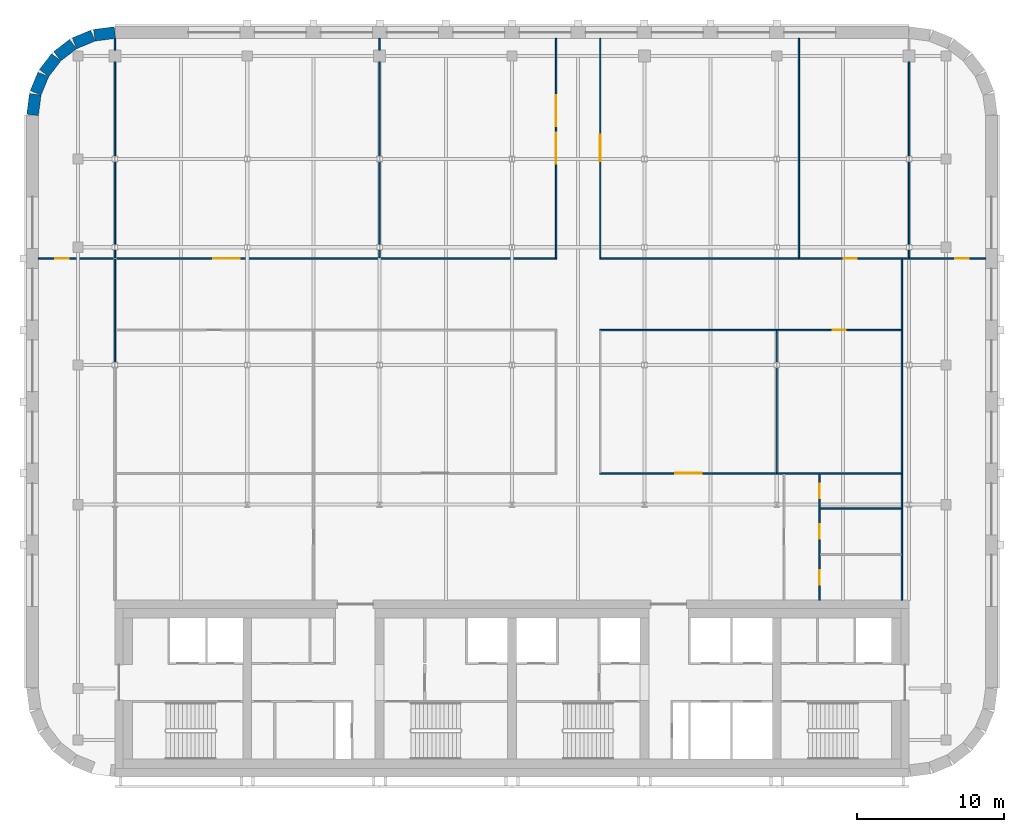
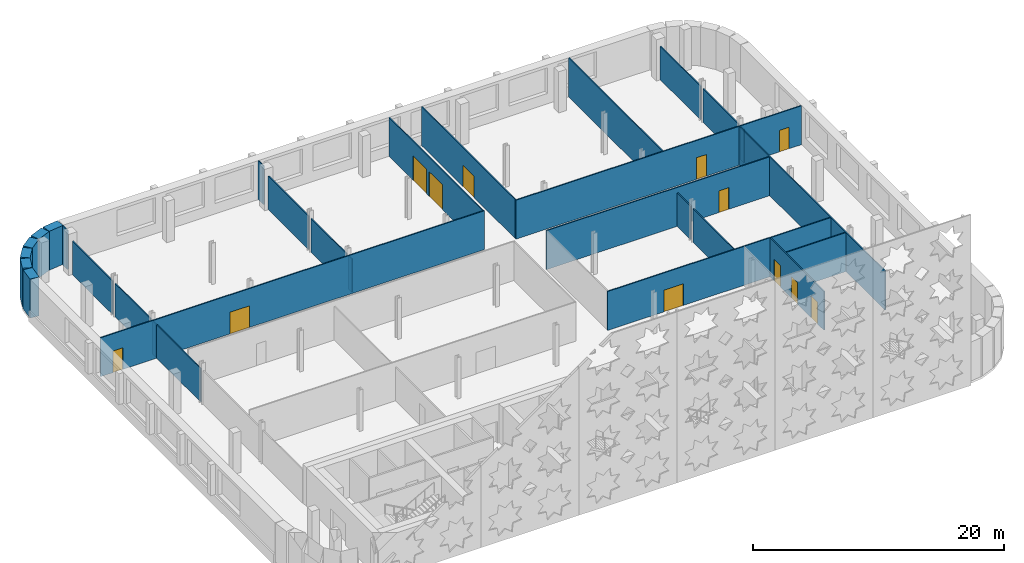
# One storey, part 9 of 14: 30 walls, 12 doors, 12 openings.
"""IFC4 building model written with IfcOpenShell, lengths in metres."""

from ifc_helpers import new_model, si_unit, direction, frame, frame_2d, origin, place, context, subcontext, project, spatial, rectangle, extrude, material, layer, layer_set, type_object, element, fill, save


model = new_model("IFC4")

# Units and contexts
model_context = context("Model", 3, precision=1e-05, world=origin(), true_north=direction((0.0, 1.0)))
body_context = subcontext(model_context, "Body", "Model", "MODEL_VIEW")
ifc_project = project(units=[si_unit("LENGTHUNIT", "METRE"), si_unit("AREAUNIT", "SQUARE_METRE"), si_unit("VOLUMEUNIT", "CUBIC_METRE"), si_unit("PLANEANGLEUNIT", "RADIAN"), si_unit("MASSUNIT", "GRAM", prefix="KILO")], contexts=[model_context])

# Site, building, storey
site_placement = place(None, origin())
site = spatial("IfcSite", under=ifc_project, at=site_placement, CompositionType="ELEMENT")
building_placement = place(site_placement, origin())
building = spatial("IfcBuilding", under=site, at=building_placement, Name="Zellij Exchange Tower", CompositionType="ELEMENT")
storey_placement = place(building_placement, frame((0.0, 0.0, 288.5)))
storey = spatial("IfcBuildingStorey", under=building, at=storey_placement, Name="L68", CompositionType="ELEMENT", Elevation=288.5)

# Walls
ifc_material_1 = material(Name="Precast concrete C40/50", Category="concrete")
ifc_layer_1 = layer(ifc_material_1, 0.800048828125)
ifc_layer_set_1 = layer_set([ifc_layer_1], Name="Precast concrete C40/50")
wall_type_1 = type_object("IfcWallType", Name="ENV-EW1 Precast stone-piered wall 800", PredefinedType="SOLIDWALL", material=ifc_layer_set_1)
wall_1_placement = place(storey_placement, frame((-26.999755859375, 36.5966796875, 0.0), z_axis=(0.0, 0.0, 1.0), x_axis=(-0.99144603414, -0.130517283865, 0.0)))
element("IfcWall", 1, at=wall_1_placement, inside=storey, type_object=wall_type_1, Name="fac.L68.15", PredefinedType="SOLIDWALL", context=body_context, shape_type="SweptSolid", body=[
    extrude(rectangle(XDim=1.408447265625, YDim=0.800048828125, at=frame_2d((0.7041015625, 0.0))), origin(), (0.0, 0.0, 1.0), 3.780029296875),
])
wall_2_placement = place(storey_placement, frame((-28.497314453125, 36.3857421875, 0.0), z_axis=(0.0, 0.0, 1.0), x_axis=(-0.923847774587, -0.38276009378, 0.0)))
element("IfcWall", 2, at=wall_2_placement, inside=storey, type_object=wall_type_1, Name="fac.L68.16", PredefinedType="SOLIDWALL", context=body_context, shape_type="SweptSolid", body=[
    extrude(rectangle(XDim=1.35546875, YDim=0.800048828125, at=frame_2d((0.677734375, 0.0))), origin(), (0.0, 0.0, 1.0), 3.780029296875),
])
for number, where, z_axis, x_axis, name in (
    (3, (-29.840087890625, 35.814697265625, 0.0), (0.0, 0.0, 1.0), (-0.793272915452, -0.608866226366, 0.0), "fac.L68.17"),
    (4, (-30.9892578125, 34.91552734375, 0.0), (0.0, 0.0, 1.0), (-0.608866226366, -0.793272915452, 0.0), "fac.L68.18"),
):
    element("IfcWall", number, at=place(storey_placement, frame(where, z_axis=z_axis, x_axis=x_axis)), inside=storey, type_object=wall_type_1, Name=name, PredefinedType="SOLIDWALL", context=body_context, shape_type="SweptSolid", body=[
        extrude(rectangle(XDim=1.355712890625, YDim=0.800048828125, at=frame_2d((0.677734375, 0.0))), origin(), (0.0, 0.0, 1.0), 3.780029296875),
    ])
wall_3_placement = place(storey_placement, frame((-31.866943359375, 33.74951171875, 0.0), z_axis=(0.0, 0.0, 1.0), x_axis=(-0.38276009378, -0.923847774587, 0.0)))
element("IfcWall", 5, at=wall_3_placement, inside=storey, type_object=wall_type_1, Name="fac.L68.19", PredefinedType="SOLIDWALL", context=body_context, shape_type="SweptSolid", body=[
    extrude(rectangle(XDim=1.35546875, YDim=0.800048828125, at=frame_2d((0.677734375, 0.0))), origin(), (0.0, 0.0, 1.0), 3.780029296875),
])
wall_4_placement = place(storey_placement, frame((-32.412841796875, 32.396240234375, 0.0), z_axis=(0.0, 0.0, 1.0), x_axis=(-0.130517283865, -0.99144603414, 0.0)))
element("IfcWall", 6, at=wall_4_placement, inside=storey, type_object=wall_type_1, Name="fac.L68.20", PredefinedType="SOLIDWALL", context=body_context, shape_type="SweptSolid", body=[
    extrude(rectangle(XDim=1.408447265625, YDim=0.800048828125, at=frame_2d((0.7041015625, 0.0))), origin(), (0.0, 0.0, 1.0), 3.780029296875),
])
ifc_material_2 = material(Name="Gypsum board partition on steel studs", Category="steel")
ifc_layer_2 = layer(ifc_material_2, 0.10009765625)
ifc_layer_set_2 = layer_set([ifc_layer_2], Name="Gypsum board partition on steel studs")
wall_type_2 = type_object("IfcWallType", Name="FIT-PARTITION-100", PredefinedType="PARTITIONING", material=ifc_layer_set_2)
wall_5_placement = place(storey_placement, frame((-27.0, 14.177734375, 0.0), z_axis=(0.0, 0.0, 1.0), x_axis=(0.0, 1.0, 0.0)))
element("IfcWall", 7, at=wall_5_placement, inside=storey, type_object=wall_type_2, Name="FIT-PARTITION-100 003", PredefinedType="PARTITIONING", context=body_context, shape_type="SweptSolid", body=[
    extrude(rectangle(XDim=7.01220703125, YDim=0.10009765625, at=frame_2d((3.506103515625, 0.0))), origin(), (0.0, 0.0, 1.0), 3.24658203125),
])

# Wall, openings, doors
wall_6_placement = place(storey_placement, frame((20.89990234375, -2.0, 0.0), z_axis=(0.0, 0.0, 1.0), x_axis=(0.0, 1.0, 0.0)))
wall_6 = element("IfcWall", 8, at=wall_6_placement, inside=storey, type_object=wall_type_2, Name="FIT-PARTITION-100 006", PredefinedType="PARTITIONING", context=body_context, shape_type="SweptSolid", body=[
    extrude(rectangle(XDim=8.580078125, YDim=0.10009765625, at=frame_2d((4.2900390625, 0.0))), origin(), (0.0, 0.0, 1.0), 3.780029296875),
])
opening_1_placement = place(wall_6_placement, frame((1.050048828125, 0.0, 0.0)))
opening_1 = element("IfcOpeningElement", 9, at=opening_1_placement, cuts=wall_6, Name="Opening EX5.01", PredefinedType="OPENING", context=body_context, shape_type="SweptSolid", body=[
    extrude(rectangle(XDim=1.0, YDim=2.10009765625, at=frame_2d((0.5, 1.050048828125))), frame((0.0, 0.06201171875, 0.0), z_axis=(0.0, -1.0, 0.0), x_axis=(1.0, 0.0, 0.0)), (0.0, 0.0, 1.0), 0.1240234375),
])
opening_2_placement = place(wall_6_placement, frame((4.1650390625, 0.0, 0.0)))
opening_2 = element("IfcOpeningElement", 10, at=opening_2_placement, cuts=wall_6, Name="Opening EX5.04", PredefinedType="OPENING", context=body_context, shape_type="SweptSolid", body=[
    extrude(rectangle(XDim=1.0, YDim=2.10009765625, at=frame_2d((0.5, 1.050048828125))), frame((0.0, 0.06201171875, 0.0), z_axis=(0.0, -1.0, 0.0), x_axis=(1.0, 0.0, 0.0)), (0.0, 0.0, 1.0), 0.1240234375),
])
opening_3_placement = place(wall_6_placement, frame((6.929931640625, 0.0, 0.0)))
opening_3 = element("IfcOpeningElement", 11, at=opening_3_placement, cuts=wall_6, Name="Opening EX5.05", PredefinedType="OPENING", context=body_context, shape_type="SweptSolid", body=[
    extrude(rectangle(XDim=1.0, YDim=2.10009765625, at=frame_2d((0.5, 1.050048828125))), frame((0.0, 0.06201171875, 0.0), z_axis=(0.0, -1.0, 0.0), x_axis=(1.0, 0.0, 0.0)), (0.0, 0.0, 1.0), 0.1240234375),
])
ifc_material_3 = material(Name="Timber door set", Category="wood")
door_type_1 = type_object("IfcDoorType", Name="FIT-D2-WIDE-1000X2100", OperationType="SINGLE_SWING_LEFT", PredefinedType="DOOR", material=ifc_material_3)
door_1_placement = place(opening_1_placement, origin())
door_1 = element("IfcDoor", 12, at=door_1_placement, inside=storey, type_object=door_type_1, Name="Door EX5.01", OperationType="SINGLE_SWING_LEFT", OverallHeight=2.10009765625, OverallWidth=1.0, PredefinedType="DOOR", context=body_context, shape_type="SweptSolid", body=[
    extrude(rectangle(XDim=1.0, YDim=2.10009765625, at=frame_2d((0.5, 1.050048828125))), frame((0.0, 0.02490234375, 0.0), z_axis=(0.0, -1.0, 0.0), x_axis=(1.0, 0.0, 0.0)), (0.0, 0.0, 1.0), 0.050048828125),
])
fill(opening_1, door_1)
door_2_placement = place(opening_2_placement, origin())
door_2 = element("IfcDoor", 13, at=door_2_placement, inside=storey, type_object=door_type_1, Name="Door EX5.04", OperationType="SINGLE_SWING_LEFT", OverallHeight=2.10009765625, OverallWidth=1.0, PredefinedType="DOOR", context=body_context, shape_type="SweptSolid", body=[
    extrude(rectangle(XDim=1.0, YDim=2.10009765625, at=frame_2d((0.5, 1.050048828125))), frame((0.0, 0.02490234375, 0.0), z_axis=(0.0, -1.0, 0.0), x_axis=(1.0, 0.0, 0.0)), (0.0, 0.0, 1.0), 0.050048828125),
])
fill(opening_2, door_2)
door_3_placement = place(opening_3_placement, origin())
door_3 = element("IfcDoor", 14, at=door_3_placement, inside=storey, type_object=door_type_1, Name="Door EX5.05", OperationType="SINGLE_SWING_LEFT", OverallHeight=2.10009765625, OverallWidth=1.0, PredefinedType="DOOR", context=body_context, shape_type="SweptSolid", body=[
    extrude(rectangle(XDim=1.0, YDim=2.10009765625, at=frame_2d((0.5, 1.050048828125))), frame((0.0, 0.02490234375, 0.0), z_axis=(0.0, -1.0, 0.0), x_axis=(1.0, 0.0, 0.0)), (0.0, 0.0, 1.0), 0.050048828125),
])
fill(opening_3, door_3)

# Walls
wall_7_placement = place(storey_placement, frame((26.5, -2.0, 0.0), z_axis=(0.0, 0.0, 1.0), x_axis=(0.0, 1.0, 0.0)))
element("IfcWall", 15, at=wall_7_placement, inside=storey, type_object=wall_type_2, Name="FIT-PARTITION-100 007", PredefinedType="PARTITIONING", context=body_context, shape_type="SweptSolid", body=[
    extrude(rectangle(XDim=23.18994140625, YDim=0.10009765625, at=frame_2d((11.594970703125, 0.0))), origin(), (0.0, 0.0, 1.0), 3.780029296875),
])
wall_8_placement = place(storey_placement, frame((20.949951171875, 4.22998046875, 0.0), z_axis=(0.0, 0.0, 1.0), x_axis=(1.0, 0.0, 0.0)))
element("IfcWall", 16, at=wall_8_placement, inside=storey, type_object=wall_type_2, Name="FIT-PARTITION-100 009", PredefinedType="PARTITIONING", context=body_context, shape_type="SweptSolid", body=[
    extrude(rectangle(XDim=5.5, YDim=0.10009765625, at=frame_2d((2.75, 0.0))), origin(), (0.0, 0.0, 1.0), 3.780029296875),
])

# Wall, opening, door
wall_9_placement = place(storey_placement, frame((5.949951171875, 6.6298828125, 0.0), z_axis=(0.0, 0.0, 1.0), x_axis=(1.0, 0.0, 0.0)))
wall_9 = element("IfcWall", 17, at=wall_9_placement, inside=storey, type_object=wall_type_2, Name="FIT-PARTITION-100 013", PredefinedType="PARTITIONING", context=body_context, shape_type="SweptSolid", body=[
    extrude(rectangle(XDim=20.5, YDim=0.10009765625, at=frame_2d((10.25, 0.0))), origin(), (0.0, 0.0, 1.0), 3.780029296875),
])
opening_4_placement = place(wall_9_placement, frame((5.14990234375, 0.0, 0.0)))
opening_4 = element("IfcOpeningElement", 18, at=opening_4_placement, cuts=wall_9, Name="Opening EX5.07", PredefinedType="OPENING", context=body_context, shape_type="SweptSolid", body=[
    extrude(rectangle(XDim=1.800048828125, YDim=2.10009765625, at=frame_2d((0.89990234375, 1.050048828125))), frame((0.0, 0.06201171875, 0.0), z_axis=(0.0, -1.0, 0.0), x_axis=(1.0, 0.0, 0.0)), (0.0, 0.0, 1.0), 0.1240234375),
])
door_type_2 = type_object("IfcDoorType", Name="FIT-D3-DOUBLE-1800X2100", OperationType="DOUBLE_DOOR_SINGLE_SWING", PredefinedType="DOOR", material=ifc_material_3)
door_4_placement = place(opening_4_placement, origin())
door_4 = element("IfcDoor", 19, at=door_4_placement, inside=storey, type_object=door_type_2, Name="Door EX5.07", OperationType="DOUBLE_DOOR_SINGLE_SWING", OverallHeight=2.10009765625, OverallWidth=1.800048828125, PredefinedType="DOOR", context=body_context, shape_type="SweptSolid", body=[
    extrude(rectangle(XDim=1.800048828125, YDim=2.10009765625, at=frame_2d((0.89990234375, 1.050048828125))), frame((0.0, 0.02490234375, 0.0), z_axis=(0.0, -1.0, 0.0), x_axis=(1.0, 0.0, 0.0)), (0.0, 0.0, 1.0), 0.050048828125),
])
fill(opening_4, door_4)

# Walls
wall_10_placement = place(storey_placement, frame((18.0, 6.679931640625, 0.0), z_axis=(0.0, 0.0, 1.0), x_axis=(0.0, 1.0, 0.0)))
element("IfcWall", 20, at=wall_10_placement, inside=storey, type_object=wall_type_2, Name="FIT-PARTITION-100 015", PredefinedType="PARTITIONING", context=body_context, shape_type="SweptSolid", body=[
    extrude(rectangle(XDim=7.142333984375, YDim=0.10009765625, at=frame_2d((3.5712890625, 0.0))), origin(), (0.0, 0.0, 1.0), 3.24658203125),
])
wall_11_placement = place(storey_placement, frame((18.0, 14.177734375, 0.0), z_axis=(0.0, 0.0, 1.0), x_axis=(0.0, 1.0, 0.0)))
element("IfcWall", 21, at=wall_11_placement, inside=storey, type_object=wall_type_2, Name="FIT-PARTITION-100 016", PredefinedType="PARTITIONING", context=body_context, shape_type="SweptSolid", body=[
    extrude(rectangle(XDim=2.142333984375, YDim=0.10009765625, at=frame_2d((1.0712890625, 0.0))), origin(), (0.0, 0.0, 1.0), 3.24658203125),
])

# Wall, opening, door
wall_12_placement = place(storey_placement, frame((5.949951171875, 16.3701171875, 0.0), z_axis=(0.0, 0.0, 1.0), x_axis=(1.0, 0.0, 0.0)))
wall_12 = element("IfcWall", 22, at=wall_12_placement, inside=storey, type_object=wall_type_2, Name="FIT-PARTITION-100 018", PredefinedType="PARTITIONING", context=body_context, shape_type="SweptSolid", body=[
    extrude(rectangle(XDim=20.5, YDim=0.10009765625, at=frame_2d((10.25, 0.0))), origin(), (0.0, 0.0, 1.0), 3.780029296875),
])
opening_5_placement = place(wall_12_placement, frame((15.85009765625, 0.0, 0.0)))
opening_5 = element("IfcOpeningElement", 23, at=opening_5_placement, cuts=wall_12, Name="Opening EX5.09", PredefinedType="OPENING", context=body_context, shape_type="SweptSolid", body=[
    extrude(rectangle(XDim=0.89990234375, YDim=2.10009765625, at=frame_2d((0.449951171875, 1.050048828125))), frame((0.0, 0.06201171875, 0.0), z_axis=(0.0, -1.0, 0.0), x_axis=(1.0, 0.0, 0.0)), (0.0, 0.0, 1.0), 0.1240234375),
])
door_type_3 = type_object("IfcDoorType", Name="FIT-D1-ROOM-900X2100", OperationType="SINGLE_SWING_LEFT", PredefinedType="DOOR", material=ifc_material_3)
door_5_placement = place(opening_5_placement, origin())
door_5 = element("IfcDoor", 24, at=door_5_placement, inside=storey, type_object=door_type_3, Name="Door EX5.09", OperationType="SINGLE_SWING_RIGHT", OverallHeight=2.10009765625, OverallWidth=0.89990234375, PredefinedType="DOOR", context=body_context, shape_type="SweptSolid", body=[
    extrude(rectangle(XDim=0.89990234375, YDim=2.10009765625, at=frame_2d((0.449951171875, 1.050048828125))), frame((0.0, 0.02490234375, 0.0), z_axis=(0.0, -1.0, 0.0), x_axis=(1.0, 0.0, 0.0)), (0.0, 0.0, 1.0), 0.050048828125),
])
fill(opening_5, door_5)

# Wall, openings, doors
wall_13_placement = place(storey_placement, frame((-32.199951171875, 21.239990234375, 0.0), z_axis=(0.0, 0.0, 1.0), x_axis=(1.0, 0.0, 0.0)))
wall_13 = element("IfcWall", 25, at=wall_13_placement, inside=storey, type_object=wall_type_2, Name="FIT-PARTITION-100 019", PredefinedType="PARTITIONING", context=body_context, shape_type="SweptSolid", body=[
    extrude(rectangle(XDim=35.25, YDim=0.10009765625, at=frame_2d((17.625, 0.0))), origin(), (0.0, 0.0, 1.0), 3.780029296875),
])
opening_6_placement = place(wall_13_placement, frame((1.14990234375, 0.0, 0.0)))
opening_6 = element("IfcOpeningElement", 26, at=opening_6_placement, cuts=wall_13, Name="Opening EX5.10", PredefinedType="OPENING", context=body_context, shape_type="SweptSolid", body=[
    extrude(rectangle(XDim=0.89990234375, YDim=2.10009765625, at=frame_2d((0.449951171875, 1.050048828125))), frame((0.0, 0.06201171875, 0.0), z_axis=(0.0, -1.0, 0.0), x_axis=(1.0, 0.0, 0.0)), (0.0, 0.0, 1.0), 0.1240234375),
])
opening_7_placement = place(wall_13_placement, frame((11.89990234375, 0.0, 0.0)))
opening_7 = element("IfcOpeningElement", 27, at=opening_7_placement, cuts=wall_13, Name="Opening EX5.11", PredefinedType="OPENING", context=body_context, shape_type="SweptSolid", body=[
    extrude(rectangle(XDim=1.800048828125, YDim=2.10009765625, at=frame_2d((0.89990234375, 1.050048828125))), frame((0.0, 0.06201171875, 0.0), z_axis=(0.0, -1.0, 0.0), x_axis=(1.0, 0.0, 0.0)), (0.0, 0.0, 1.0), 0.1240234375),
])
door_6_placement = place(opening_6_placement, origin())
door_6 = element("IfcDoor", 28, at=door_6_placement, inside=storey, type_object=door_type_3, Name="Door EX5.10", OperationType="SINGLE_SWING_LEFT", OverallHeight=2.10009765625, OverallWidth=0.89990234375, PredefinedType="DOOR", context=body_context, shape_type="SweptSolid", body=[
    extrude(rectangle(XDim=0.89990234375, YDim=2.10009765625, at=frame_2d((0.449951171875, 1.050048828125))), frame((0.0, 0.02490234375, 0.0), z_axis=(0.0, -1.0, 0.0), x_axis=(1.0, 0.0, 0.0)), (0.0, 0.0, 1.0), 0.050048828125),
])
fill(opening_6, door_6)
door_7_placement = place(opening_7_placement, origin())
door_7 = element("IfcDoor", 29, at=door_7_placement, inside=storey, type_object=door_type_2, Name="Door EX5.11", OperationType="DOUBLE_DOOR_SINGLE_SWING", OverallHeight=2.10009765625, OverallWidth=1.800048828125, PredefinedType="DOOR", context=body_context, shape_type="SweptSolid", body=[
    extrude(rectangle(XDim=1.800048828125, YDim=2.10009765625, at=frame_2d((0.89990234375, 1.050048828125))), frame((0.0, 0.02490234375, 0.0), z_axis=(0.0, -1.0, 0.0), x_axis=(1.0, 0.0, 0.0)), (0.0, 0.0, 1.0), 0.050048828125),
])
fill(opening_7, door_7)

# Walls
wall_14_placement = place(storey_placement, frame((-27.0, 21.2900390625, 0.0), z_axis=(0.0, 0.0, 1.0), x_axis=(0.0, 1.0, 0.0)))
element("IfcWall", 30, at=wall_14_placement, inside=storey, type_object=wall_type_2, Name="FIT-PARTITION-100 020", PredefinedType="PARTITIONING", context=body_context, shape_type="SweptSolid", body=[
    extrude(rectangle(XDim=0.5322265625, YDim=0.10009765625, at=frame_2d((0.26611328125, 0.0))), origin(), (0.0, 0.0, 1.0), 3.24658203125),
])
wall_15_placement = place(storey_placement, frame((-27.0, 22.177734375, 0.0), z_axis=(0.0, 0.0, 1.0), x_axis=(0.0, 1.0, 0.0)))
element("IfcWall", 31, at=wall_15_placement, inside=storey, type_object=wall_type_2, Name="FIT-PARTITION-100 021", PredefinedType="PARTITIONING", context=body_context, shape_type="SweptSolid", body=[
    extrude(rectangle(XDim=5.64453125, YDim=0.10009765625, at=frame_2d((2.822265625, 0.0))), origin(), (0.0, 0.0, 1.0), 3.24658203125),
])
wall_16_placement = place(storey_placement, frame((-27.0, 28.177734375, 0.0), z_axis=(0.0, 0.0, 1.0), x_axis=(0.0, 1.0, 0.0)))
element("IfcWall", 32, at=wall_16_placement, inside=storey, type_object=wall_type_2, Name="FIT-PARTITION-100 022", PredefinedType="PARTITIONING", context=body_context, shape_type="SweptSolid", body=[
    extrude(rectangle(XDim=6.42236328125, YDim=0.10009765625, at=frame_2d((3.211181640625, 0.0))), origin(), (0.0, 0.0, 1.0), 3.24658203125),
])
wall_17_placement = place(storey_placement, frame((-27.0, 35.39990234375, 0.0), z_axis=(0.0, 0.0, 1.0), x_axis=(0.0, 1.0, 0.0)))
element("IfcWall", 33, at=wall_17_placement, inside=storey, type_object=wall_type_2, Name="FIT-PARTITION-100 023", PredefinedType="PARTITIONING", context=body_context, shape_type="SweptSolid", body=[
    extrude(rectangle(XDim=0.7900390625, YDim=0.10009765625, at=frame_2d((0.39501953125, 0.0))), origin(), (0.0, 0.0, 1.0), 3.780029296875),
])
wall_18_placement = place(storey_placement, frame((-9.0, 21.2900390625, 0.0), z_axis=(0.0, 0.0, 1.0), x_axis=(0.0, 1.0, 0.0)))
element("IfcWall", 34, at=wall_18_placement, inside=storey, type_object=wall_type_2, Name="FIT-PARTITION-100 024", PredefinedType="PARTITIONING", context=body_context, shape_type="SweptSolid", body=[
    extrude(rectangle(XDim=0.5322265625, YDim=0.10009765625, at=frame_2d((0.26611328125, 0.0))), origin(), (0.0, 0.0, 1.0), 3.24658203125),
])
wall_19_placement = place(storey_placement, frame((-9.0, 22.177734375, 0.0), z_axis=(0.0, 0.0, 1.0), x_axis=(0.0, 1.0, 0.0)))
element("IfcWall", 35, at=wall_19_placement, inside=storey, type_object=wall_type_2, Name="FIT-PARTITION-100 025", PredefinedType="PARTITIONING", context=body_context, shape_type="SweptSolid", body=[
    extrude(rectangle(XDim=5.64453125, YDim=0.10009765625, at=frame_2d((2.822265625, 0.0))), origin(), (0.0, 0.0, 1.0), 3.24658203125),
])
wall_20_placement = place(storey_placement, frame((-9.0, 28.177734375, 0.0), z_axis=(0.0, 0.0, 1.0), x_axis=(0.0, 1.0, 0.0)))
element("IfcWall", 36, at=wall_20_placement, inside=storey, type_object=wall_type_2, Name="FIT-PARTITION-100 026", PredefinedType="PARTITIONING", context=body_context, shape_type="SweptSolid", body=[
    extrude(rectangle(XDim=6.42236328125, YDim=0.10009765625, at=frame_2d((3.211181640625, 0.0))), origin(), (0.0, 0.0, 1.0), 3.24658203125),
])
wall_21_placement = place(storey_placement, frame((-9.0, 35.39990234375, 0.0), z_axis=(0.0, 0.0, 1.0), x_axis=(0.0, 1.0, 0.0)))
element("IfcWall", 37, at=wall_21_placement, inside=storey, type_object=wall_type_2, Name="FIT-PARTITION-100 027", PredefinedType="PARTITIONING", context=body_context, shape_type="SweptSolid", body=[
    extrude(rectangle(XDim=0.800048828125, YDim=0.10009765625, at=frame_2d((0.39990234375, 0.0))), origin(), (0.0, 0.0, 1.0), 3.780029296875),
])

# Wall, openings, doors
wall_22_placement = place(storey_placement, frame((3.0, 21.2900390625, 0.0), z_axis=(0.0, 0.0, 1.0), x_axis=(0.0, 1.0, 0.0)))
wall_22 = element("IfcWall", 38, at=wall_22_placement, inside=storey, type_object=wall_type_2, Name="FIT-PARTITION-100 028", PredefinedType="PARTITIONING", context=body_context, shape_type="SweptSolid", body=[
    extrude(rectangle(XDim=14.909912109375, YDim=0.10009765625, at=frame_2d((7.455078125, 0.0))), origin(), (0.0, 0.0, 1.0), 3.780029296875),
])
opening_8_placement = place(wall_22_placement, frame((6.39990234375, 0.0, 0.0)))
opening_8 = element("IfcOpeningElement", 39, at=opening_8_placement, cuts=wall_22, Name="Opening EX5.14", PredefinedType="OPENING", context=body_context, shape_type="SweptSolid", body=[
    extrude(rectangle(XDim=2.10009765625, YDim=2.39990234375, at=frame_2d((1.050048828125, 1.199951171875))), frame((0.0, 0.06201171875, 0.0), z_axis=(0.0, -1.0, 0.0), x_axis=(1.0, 0.0, 0.0)), (0.0, 0.0, 1.0), 0.1240234375),
])
opening_9_placement = place(wall_22_placement, frame((8.949951171875, 0.0, 0.0)))
opening_9 = element("IfcOpeningElement", 40, at=opening_9_placement, cuts=wall_22, Name="Opening EX5.16", PredefinedType="OPENING", context=body_context, shape_type="SweptSolid", body=[
    extrude(rectangle(XDim=2.10009765625, YDim=2.39990234375, at=frame_2d((1.050048828125, 1.199951171875))), frame((0.0, 0.06201171875, 0.0), z_axis=(0.0, -1.0, 0.0), x_axis=(1.0, 0.0, 0.0)), (0.0, 0.0, 1.0), 0.1240234375),
])
door_type_4 = type_object("IfcDoorType", Name="FIT-D7-ASSEMBLY-2100X2400", OperationType="DOUBLE_DOOR_SINGLE_SWING", PredefinedType="DOOR", material=ifc_material_3)
door_8_placement = place(opening_8_placement, origin())
door_8 = element("IfcDoor", 41, at=door_8_placement, inside=storey, type_object=door_type_4, Name="Door EX5.14", OperationType="DOUBLE_DOOR_SINGLE_SWING", OverallHeight=2.39990234375, OverallWidth=2.10009765625, PredefinedType="DOOR", context=body_context, shape_type="SweptSolid", body=[
    extrude(rectangle(XDim=2.10009765625, YDim=2.39990234375, at=frame_2d((1.050048828125, 1.199951171875))), frame((0.0, 0.02490234375, 0.0), z_axis=(0.0, -1.0, 0.0), x_axis=(1.0, 0.0, 0.0)), (0.0, 0.0, 1.0), 0.050048828125),
])
fill(opening_8, door_8)
door_9_placement = place(opening_9_placement, origin())
door_9 = element("IfcDoor", 42, at=door_9_placement, inside=storey, type_object=door_type_4, Name="Door EX5.16", OperationType="DOUBLE_DOOR_SINGLE_SWING", OverallHeight=2.39990234375, OverallWidth=2.10009765625, PredefinedType="DOOR", context=body_context, shape_type="SweptSolid", body=[
    extrude(rectangle(XDim=2.10009765625, YDim=2.39990234375, at=frame_2d((1.050048828125, 1.199951171875))), frame((0.0, 0.02490234375, 0.0), z_axis=(0.0, -1.0, 0.0), x_axis=(1.0, 0.0, 0.0)), (0.0, 0.0, 1.0), 0.050048828125),
])
fill(opening_9, door_9)

wall_23_placement = place(storey_placement, frame((5.949951171875, 21.239990234375, 0.0), z_axis=(0.0, 0.0, 1.0), x_axis=(1.0, 0.0, 0.0)))
wall_23 = element("IfcWall", 43, at=wall_23_placement, inside=storey, type_object=wall_type_2, Name="FIT-PARTITION-100 029", PredefinedType="PARTITIONING", context=body_context, shape_type="SweptSolid", body=[
    extrude(rectangle(XDim=26.25, YDim=0.10009765625, at=frame_2d((13.125, 0.0))), origin(), (0.0, 0.0, 1.0), 3.780029296875),
])
opening_10_placement = place(wall_23_placement, frame((16.60009765625, 0.0, 0.0)))
opening_10 = element("IfcOpeningElement", 44, at=opening_10_placement, cuts=wall_23, Name="Opening EX5.12", PredefinedType="OPENING", context=body_context, shape_type="SweptSolid", body=[
    extrude(rectangle(XDim=0.89990234375, YDim=2.10009765625, at=frame_2d((0.449951171875, 1.050048828125))), frame((0.0, 0.06201171875, 0.0), z_axis=(0.0, -1.0, 0.0), x_axis=(1.0, 0.0, 0.0)), (0.0, 0.0, 1.0), 0.1240234375),
])
opening_11_placement = place(wall_23_placement, frame((24.199951171875, 0.0, 0.0)))
opening_11 = element("IfcOpeningElement", 45, at=opening_11_placement, cuts=wall_23, Name="Opening EX5.13", PredefinedType="OPENING", context=body_context, shape_type="SweptSolid", body=[
    extrude(rectangle(XDim=0.89990234375, YDim=2.10009765625, at=frame_2d((0.449951171875, 1.050048828125))), frame((0.0, 0.06201171875, 0.0), z_axis=(0.0, -1.0, 0.0), x_axis=(1.0, 0.0, 0.0)), (0.0, 0.0, 1.0), 0.1240234375),
])
door_10_placement = place(opening_10_placement, origin())
door_10 = element("IfcDoor", 46, at=door_10_placement, inside=storey, type_object=door_type_3, Name="Door EX5.12", OperationType="SINGLE_SWING_LEFT", OverallHeight=2.10009765625, OverallWidth=0.89990234375, PredefinedType="DOOR", context=body_context, shape_type="SweptSolid", body=[
    extrude(rectangle(XDim=0.89990234375, YDim=2.10009765625, at=frame_2d((0.449951171875, 1.050048828125))), frame((0.0, 0.02490234375, 0.0), z_axis=(0.0, -1.0, 0.0), x_axis=(1.0, 0.0, 0.0)), (0.0, 0.0, 1.0), 0.050048828125),
])
fill(opening_10, door_10)
door_11_placement = place(opening_11_placement, origin())
door_11 = element("IfcDoor", 47, at=door_11_placement, inside=storey, type_object=door_type_3, Name="Door EX5.13", OperationType="SINGLE_SWING_RIGHT", OverallHeight=2.10009765625, OverallWidth=0.89990234375, PredefinedType="DOOR", context=body_context, shape_type="SweptSolid", body=[
    extrude(rectangle(XDim=0.89990234375, YDim=2.10009765625, at=frame_2d((0.449951171875, 1.050048828125))), frame((0.0, 0.02490234375, 0.0), z_axis=(0.0, -1.0, 0.0), x_axis=(1.0, 0.0, 0.0)), (0.0, 0.0, 1.0), 0.050048828125),
])
fill(opening_11, door_11)

# Wall, opening, door
wall_24_placement = place(storey_placement, frame((6.0, 21.2900390625, 0.0), z_axis=(0.0, 0.0, 1.0), x_axis=(0.0, 1.0, 0.0)))
wall_24 = element("IfcWall", 48, at=wall_24_placement, inside=storey, type_object=wall_type_2, Name="FIT-PARTITION-100 030", PredefinedType="PARTITIONING", context=body_context, shape_type="SweptSolid", body=[
    extrude(rectangle(XDim=14.909912109375, YDim=0.10009765625, at=frame_2d((7.455078125, 0.0))), origin(), (0.0, 0.0, 1.0), 3.780029296875),
])
opening_12_placement = place(wall_24_placement, frame((6.550048828125, 0.0, 0.0)))
opening_12 = element("IfcOpeningElement", 49, at=opening_12_placement, cuts=wall_24, Name="Opening EX5.15", PredefinedType="OPENING", context=body_context, shape_type="SweptSolid", body=[
    extrude(rectangle(XDim=1.800048828125, YDim=2.10009765625, at=frame_2d((0.89990234375, 1.050048828125))), frame((0.0, 0.06201171875, 0.0), z_axis=(0.0, -1.0, 0.0), x_axis=(1.0, 0.0, 0.0)), (0.0, 0.0, 1.0), 0.1240234375),
])
door_12_placement = place(opening_12_placement, origin())
door_12 = element("IfcDoor", 50, at=door_12_placement, inside=storey, type_object=door_type_2, Name="Door EX5.15", OperationType="DOUBLE_DOOR_SINGLE_SWING", OverallHeight=2.10009765625, OverallWidth=1.800048828125, PredefinedType="DOOR", context=body_context, shape_type="SweptSolid", body=[
    extrude(rectangle(XDim=1.800048828125, YDim=2.10009765625, at=frame_2d((0.89990234375, 1.050048828125))), frame((0.0, 0.02490234375, 0.0), z_axis=(0.0, -1.0, 0.0), x_axis=(1.0, 0.0, 0.0)), (0.0, 0.0, 1.0), 0.050048828125),
])
fill(opening_12, door_12)

# Walls
wall_25_placement = place(storey_placement, frame((19.5, 21.2900390625, 0.0), z_axis=(0.0, 0.0, 1.0), x_axis=(0.0, 1.0, 0.0)))
element("IfcWall", 51, at=wall_25_placement, inside=storey, type_object=wall_type_2, Name="FIT-PARTITION-100 031", PredefinedType="PARTITIONING", context=body_context, shape_type="SweptSolid", body=[
    extrude(rectangle(XDim=14.909912109375, YDim=0.10009765625, at=frame_2d((7.455078125, 0.0))), origin(), (0.0, 0.0, 1.0), 3.780029296875),
])
wall_26_placement = place(storey_placement, frame((27.0, 21.2900390625, 0.0), z_axis=(0.0, 0.0, 1.0), x_axis=(0.0, 1.0, 0.0)))
element("IfcWall", 52, at=wall_26_placement, inside=storey, type_object=wall_type_2, Name="FIT-PARTITION-100 032", PredefinedType="PARTITIONING", context=body_context, shape_type="SweptSolid", body=[
    extrude(rectangle(XDim=0.5322265625, YDim=0.10009765625, at=frame_2d((0.26611328125, 0.0))), origin(), (0.0, 0.0, 1.0), 3.24658203125),
])
wall_27_placement = place(storey_placement, frame((27.0, 22.177734375, 0.0), z_axis=(0.0, 0.0, 1.0), x_axis=(0.0, 1.0, 0.0)))
element("IfcWall", 53, at=wall_27_placement, inside=storey, type_object=wall_type_2, Name="FIT-PARTITION-100 033", PredefinedType="PARTITIONING", context=body_context, shape_type="SweptSolid", body=[
    extrude(rectangle(XDim=5.64453125, YDim=0.10009765625, at=frame_2d((2.822265625, 0.0))), origin(), (0.0, 0.0, 1.0), 3.24658203125),
])
wall_28_placement = place(storey_placement, frame((27.0, 28.177734375, 0.0), z_axis=(0.0, 0.0, 1.0), x_axis=(0.0, 1.0, 0.0)))
element("IfcWall", 54, at=wall_28_placement, inside=storey, type_object=wall_type_2, Name="FIT-PARTITION-100 034", PredefinedType="PARTITIONING", context=body_context, shape_type="SweptSolid", body=[
    extrude(rectangle(XDim=6.42236328125, YDim=0.10009765625, at=frame_2d((3.211181640625, 0.0))), origin(), (0.0, 0.0, 1.0), 3.24658203125),
])

save(model, "model.ifc")
